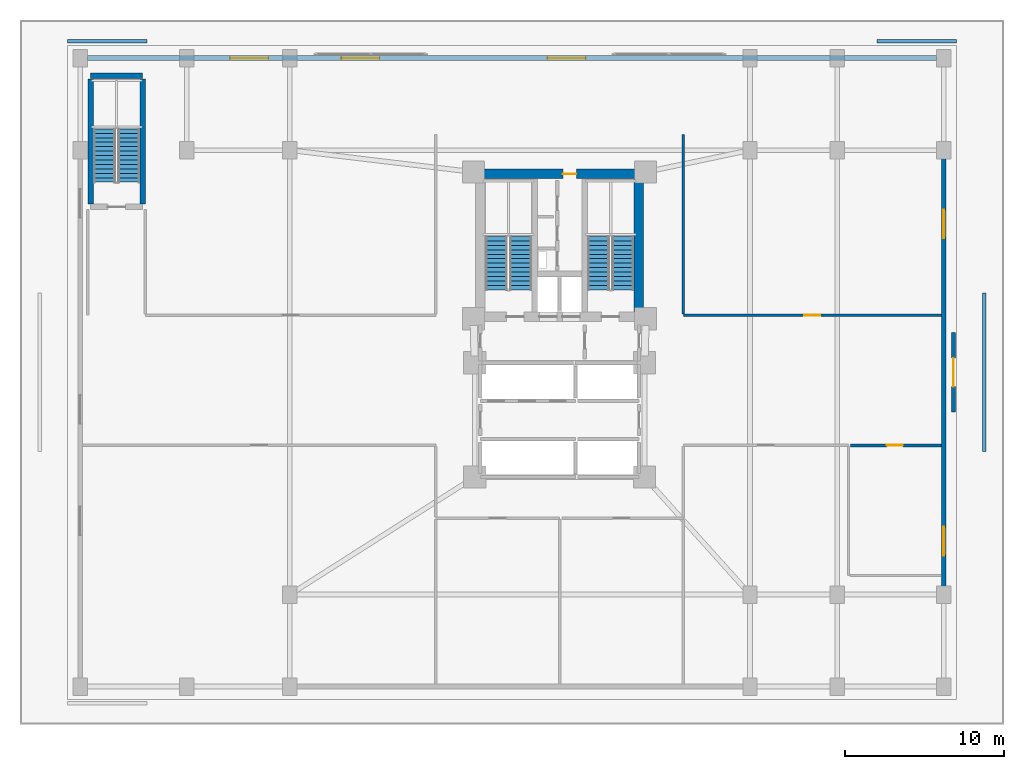
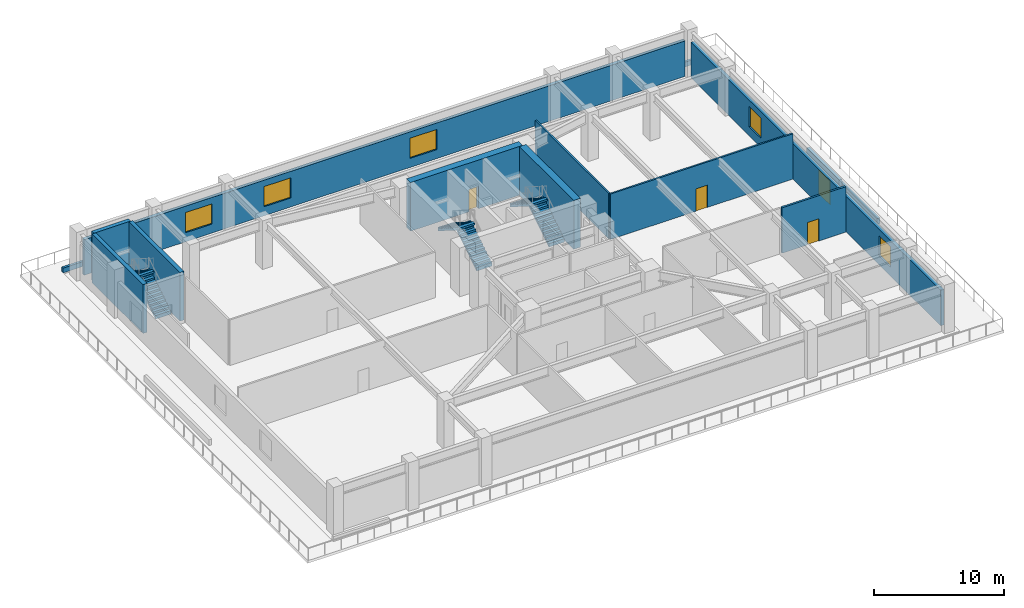
# One storey, part 7 of 9: 14 walls, 6 stair flights, 5 windows, 4 doors, 9 openings, 3 elements without a shape of their own.
"""IFC4 building model written with IfcOpenShell, lengths in metres."""

from ifc_helpers import new_model, si_unit, direction, frame, frame_2d, origin, place, context, subcontext, project, spatial, polyline, rectangle, outline, extrude, material, layer, layer_set, type_object, element, fill, aggregate, save


model = new_model("IFC4")

# Units and contexts
model_context = context("Model", 3, precision=1e-05, world=origin(), true_north=direction((0.0, 1.0)))
body_context = subcontext(model_context, "Body", "Model", "MODEL_VIEW")
ifc_project = project(units=[si_unit("LENGTHUNIT", "METRE"), si_unit("AREAUNIT", "SQUARE_METRE"), si_unit("VOLUMEUNIT", "CUBIC_METRE"), si_unit("PLANEANGLEUNIT", "RADIAN"), si_unit("MASSUNIT", "GRAM", prefix="KILO")], contexts=[model_context])

# Site, building, storey
site_placement = place(None, origin())
site = spatial("IfcSite", under=ifc_project, at=site_placement, CompositionType="ELEMENT")
building_placement = place(site_placement, origin())
building = spatial("IfcBuilding", under=site, at=building_placement, Name="Varnakorn Sky Granary", CompositionType="ELEMENT")
storey_placement = place(building_placement, frame((0.0, 0.0, 18.39990234375)))
storey = spatial("IfcBuildingStorey", under=building, at=storey_placement, Name="L04", CompositionType="ELEMENT", Elevation=18.39990234375)

# Walls
ifc_material_1 = material(Name="Concrete C50/60", Category="concrete")
ifc_layer_1 = layer(ifc_material_1, 0.35009765625, Name="Concrete C50/60")
ifc_layer_set_1 = layer_set([ifc_layer_1], Name="Concrete C50/60")
wall_type_1 = type_object("IfcWallType", Name="WT-CW-INT-350", PredefinedType="SHEAR", material=ifc_layer_set_1)
wall_1_placement = place(storey_placement, frame((-26.550048828125, 18.679931640625, 0.0), z_axis=(0.0, 0.0, 1.0), x_axis=(1.0, 0.0, 0.0)))
element("IfcWall", 1, at=wall_1_placement, inside=storey, type_object=wall_type_1, Name="Podium Stair ST-B3 North Wall L04", PredefinedType="SHEAR", context=body_context, shape_type="SweptSolid", body=[
    extrude(rectangle(XDim=3.280029296875, YDim=0.35009765625, at=frame_2d((1.64013671875, 0.0))), origin(), (0.0, 0.0, 1.0), 4.592041015625),
])
for number, where, z_axis, x_axis, name in (
    (2, (-26.550048828125, 10.610107421875, 0.0), (0.0, 0.0, 1.0), (0.0, 1.0, 0.0), "Podium Stair ST-B3 West Wall L04"),
    (3, (-23.27001953125, 10.610107421875, 0.0), (0.0, 0.0, 1.0), (0.0, 1.0, 0.0), "Podium Stair ST-B3 East Wall L04"),
):
    element("IfcWall", number, at=place(storey_placement, frame(where, z_axis=z_axis, x_axis=x_axis)), inside=storey, type_object=wall_type_1, Name=name, PredefinedType="SHEAR", context=body_context, shape_type="SweptSolid", body=[
        extrude(rectangle(XDim=7.8798828125, YDim=0.35009765625, at=frame_2d((3.93994140625, 0.0))), origin(), (0.0, 0.0, 1.0), 4.592041015625),
    ])

# Wall, opening, door
ifc_material_2 = material(Name="Concrete C60/75", Category="concrete")
ifc_layer_2 = layer(ifc_material_2, 0.60009765625, Name="Concrete C60/75")
ifc_layer_set_2 = layer_set([ifc_layer_2], Name="Concrete C60/75")
wall_type_2 = type_object("IfcWallType", Name="WT-CW-SHEAR-600", PredefinedType="SHEAR", material=ifc_layer_set_2)
wall_2_placement = place(storey_placement, frame((-2.0, 12.5, 0.0), z_axis=(0.0, 0.0, 1.0), x_axis=(1.0, 0.0, 0.0)))
wall_2 = element("IfcWall", 4, at=wall_2_placement, inside=storey, type_object=wall_type_2, Name="Core North Shear Wall L04", PredefinedType="SHEAR", context=body_context, shape_type="SweptSolid", body=[
    extrude(rectangle(XDim=10.0, YDim=0.60009765625, at=frame_2d((5.0, 0.0))), origin(), (0.0, 0.0, 1.0), 4.592041015625),
])
opening_1_placement = place(wall_2_placement, frame((5.199951171875, 0.0, 0.0)))
opening_1 = element("IfcOpeningElement", 5, at=opening_1_placement, cuts=wall_2, Name="Opening FD-60N", PredefinedType="OPENING", context=body_context, shape_type="SweptSolid", body=[
    extrude(rectangle(XDim=0.85009765625, YDim=2.10009765625, at=frame_2d((0.425048828125, 1.050048828125))), frame((0.0, 0.31005859375, 0.0), z_axis=(0.0, -1.0, 0.0), x_axis=(1.0, 0.0, 0.0)), (0.0, 0.0, 1.0), 0.6201171875),
])
ifc_material_3 = material(Name="Acoustic Timber Fire Leaf", Category="wood")
door_type_1 = type_object("IfcDoorType", Name="DR-FD60-850", OperationType="NOTDEFINED", PredefinedType="DOOR", material=ifc_material_3)
door_1_placement = place(opening_1_placement, origin())
door_1 = element("IfcDoor", 6, at=door_1_placement, inside=storey, type_object=door_type_1, Name="Core North Service Door L04", OperationType="SINGLE_SWING_RIGHT", OverallHeight=2.10009765625, OverallWidth=0.85009765625, PredefinedType="DOOR", context=body_context, shape_type="SweptSolid", body=[
    extrude(rectangle(XDim=0.85009765625, YDim=2.10009765625, at=frame_2d((0.425048828125, 1.050048828125))), frame((0.0, 0.02490234375, 0.0), z_axis=(0.0, -1.0, 0.0), x_axis=(1.0, 0.0, 0.0)), (0.0, 0.0, 1.0), 0.050048828125),
])
fill(opening_1, door_1)

# Wall
wall_3_placement = place(storey_placement, frame((8.0, 3.81005859375, 0.0), z_axis=(0.0, 0.0, 1.0), x_axis=(0.0, 1.0, 0.0)))
element("IfcWall", 7, at=wall_3_placement, inside=storey, type_object=wall_type_2, Name="Core East Shear Wall L04", PredefinedType="SHEAR", context=body_context, shape_type="SweptSolid", body=[
    extrude(rectangle(XDim=8.3798828125, YDim=0.60009765625, at=frame_2d((4.18994140625, 0.0))), origin(), (0.0, 0.0, 1.0), 4.592041015625),
])

# Wall, openings, windows
ifc_material_4 = material(Name="Precast concrete C40/50", Category="concrete")
ifc_layer_3 = layer(ifc_material_4, 0.300048828125, Name="Precast concrete C40/50")
ifc_layer_set_3 = layer_set([ifc_layer_3], Name="Precast concrete C40/50")
wall_type_3 = type_object("IfcWallType", Name="WT-EW-POD-300", PredefinedType="SOLIDWALL", material=ifc_layer_set_3)
wall_4_placement = place(storey_placement, frame((-26.7548828125, 19.800048828125, 0.0), z_axis=(0.0, 0.0, 1.0), x_axis=(1.0, 0.0, 0.0)))
wall_4 = element("IfcWall", 8, at=wall_4_placement, inside=storey, type_object=wall_type_3, Name="Podium Exterior Facade Wall L04-N", PredefinedType="SOLIDWALL", context=body_context, shape_type="SweptSolid", body=[
    extrude(rectangle(XDim=53.509765625, YDim=0.300048828125, at=frame_2d((26.7548828125, 0.0))), origin(), (0.0, 0.0, 1.0), 3.35009765625),
])
opening_2_placement = place(wall_4_placement, frame((9.0, 0.0, 0.85009765625)))
opening_2 = element("IfcOpeningElement", 9, at=opening_2_placement, cuts=wall_4, Name="Opening WN-01", PredefinedType="OPENING", context=body_context, shape_type="SweptSolid", body=[
    extrude(rectangle(XDim=2.39990234375, YDim=1.89990234375, at=frame_2d((1.199951171875, 0.949951171875))), frame((0.0, 0.16015625, 0.0), z_axis=(0.0, -1.0, 0.0), x_axis=(1.0, 0.0, 0.0)), (0.0, 0.0, 1.0), 0.320068359375),
])
opening_3_placement = place(wall_4_placement, frame((16.0, 0.0, 0.85009765625)))
opening_3 = element("IfcOpeningElement", 10, at=opening_3_placement, cuts=wall_4, Name="Opening WN-01", PredefinedType="OPENING", context=body_context, shape_type="SweptSolid", body=[
    extrude(rectangle(XDim=2.39990234375, YDim=1.89990234375, at=frame_2d((1.199951171875, 0.949951171875))), frame((0.0, 0.16015625, 0.0), z_axis=(0.0, -1.0, 0.0), x_axis=(1.0, 0.0, 0.0)), (0.0, 0.0, 1.0), 0.320068359375),
])
opening_4_placement = place(wall_4_placement, frame((29.0, 0.0, 0.85009765625)))
opening_4 = element("IfcOpeningElement", 11, at=opening_4_placement, cuts=wall_4, Name="Opening WN-01", PredefinedType="OPENING", context=body_context, shape_type="SweptSolid", body=[
    extrude(rectangle(XDim=2.39990234375, YDim=1.89990234375, at=frame_2d((1.199951171875, 0.949951171875))), frame((0.0, 0.16015625, 0.0), z_axis=(0.0, -1.0, 0.0), x_axis=(1.0, 0.0, 0.0)), (0.0, 0.0, 1.0), 0.320068359375),
])
ifc_material_5 = material(Name="Low-E Tinted Laminated Glass", Category="glass")
window_type_1 = type_object("IfcWindowType", Name="WN-POD-2400", PartitioningType="SINGLE_PANEL", PredefinedType="WINDOW", material=ifc_material_5)
window_1_placement = place(opening_2_placement, origin())
window_1 = element("IfcWindow", 12, at=window_1_placement, inside=storey, type_object=window_type_1, Name="Podium Facade Window L04-N", OverallHeight=1.89990234375, OverallWidth=2.39990234375, PartitioningType="SINGLE_PANEL", PredefinedType="WINDOW", context=body_context, shape_type="SweptSolid", body=[
    extrude(rectangle(XDim=2.39990234375, YDim=1.89990234375, at=frame_2d((1.199951171875, 0.949951171875))), frame((0.0, 0.030029296875, 0.0), z_axis=(0.0, -1.0, 0.0), x_axis=(1.0, 0.0, 0.0)), (0.0, 0.0, 1.0), 0.06005859375),
])
fill(opening_2, window_1)
window_2_placement = place(opening_3_placement, origin())
window_2 = element("IfcWindow", 13, at=window_2_placement, inside=storey, type_object=window_type_1, Name="Podium Facade Window L04-N", OverallHeight=1.89990234375, OverallWidth=2.39990234375, PartitioningType="SINGLE_PANEL", PredefinedType="WINDOW", context=body_context, shape_type="SweptSolid", body=[
    extrude(rectangle(XDim=2.39990234375, YDim=1.89990234375, at=frame_2d((1.199951171875, 0.949951171875))), frame((0.0, 0.030029296875, 0.0), z_axis=(0.0, -1.0, 0.0), x_axis=(1.0, 0.0, 0.0)), (0.0, 0.0, 1.0), 0.06005859375),
])
fill(opening_3, window_2)
window_3_placement = place(opening_4_placement, origin())
window_3 = element("IfcWindow", 14, at=window_3_placement, inside=storey, type_object=window_type_1, Name="Podium Facade Window L04-N", OverallHeight=1.89990234375, OverallWidth=2.39990234375, PartitioningType="SINGLE_PANEL", PredefinedType="WINDOW", context=body_context, shape_type="SweptSolid", body=[
    extrude(rectangle(XDim=2.39990234375, YDim=1.89990234375, at=frame_2d((1.199951171875, 0.949951171875))), frame((0.0, 0.030029296875, 0.0), z_axis=(0.0, -1.0, 0.0), x_axis=(1.0, 0.0, 0.0)), (0.0, 0.0, 1.0), 0.06005859375),
])
fill(opening_4, window_3)

wall_5_placement = place(storey_placement, frame((27.199951171875, 19.2548828125, 0.0), z_axis=(0.0, 0.0, 1.0), x_axis=(0.0, -1.0, 0.0)))
wall_5 = element("IfcWall", 15, at=wall_5_placement, inside=storey, type_object=wall_type_3, Name="Podium Exterior Facade Wall L04-E", PredefinedType="SOLIDWALL", context=body_context, shape_type="SweptSolid", body=[
    extrude(rectangle(XDim=38.509765625, YDim=0.300048828125, at=frame_2d((19.2548828125, 0.0))), origin(), (0.0, 0.0, 1.0), 3.35009765625),
])
opening_5_placement = place(wall_5_placement, frame((9.0, 0.0, 0.85009765625)))
opening_5 = element("IfcOpeningElement", 16, at=opening_5_placement, cuts=wall_5, Name="Opening WN-02", PredefinedType="OPENING", context=body_context, shape_type="SweptSolid", body=[
    extrude(rectangle(XDim=1.800048828125, YDim=1.89990234375, at=frame_2d((0.89990234375, 0.949951171875))), frame((0.0, 0.16015625, 0.0), z_axis=(0.0, -1.0, 0.0), x_axis=(1.0, 0.0, 0.0)), (0.0, 0.0, 1.0), 0.320068359375),
])
opening_6_placement = place(wall_5_placement, frame((29.0, 0.0, 0.85009765625)))
opening_6 = element("IfcOpeningElement", 17, at=opening_6_placement, cuts=wall_5, Name="Opening WN-02", PredefinedType="OPENING", context=body_context, shape_type="SweptSolid", body=[
    extrude(rectangle(XDim=1.800048828125, YDim=1.89990234375, at=frame_2d((0.89990234375, 0.949951171875))), frame((0.0, 0.16015625, 0.0), z_axis=(0.0, -1.0, 0.0), x_axis=(1.0, 0.0, 0.0)), (0.0, 0.0, 1.0), 0.320068359375),
])
window_type_2 = type_object("IfcWindowType", Name="WN-POD-1800", PartitioningType="SINGLE_PANEL", PredefinedType="WINDOW", material=ifc_material_5)
window_4_placement = place(opening_5_placement, origin())
window_4 = element("IfcWindow", 18, at=window_4_placement, inside=storey, type_object=window_type_2, Name="Podium Facade Window L04-E", OverallHeight=1.89990234375, OverallWidth=1.800048828125, PartitioningType="SINGLE_PANEL", PredefinedType="WINDOW", context=body_context, shape_type="SweptSolid", body=[
    extrude(rectangle(XDim=1.800048828125, YDim=1.89990234375, at=frame_2d((0.89990234375, 0.949951171875))), frame((0.0, 0.030029296875, 0.0), z_axis=(0.0, -1.0, 0.0), x_axis=(1.0, 0.0, 0.0)), (0.0, 0.0, 1.0), 0.06005859375),
])
fill(opening_5, window_4)
window_5_placement = place(opening_6_placement, origin())
window_5 = element("IfcWindow", 19, at=window_5_placement, inside=storey, type_object=window_type_2, Name="Podium Facade Window L04-E", OverallHeight=1.89990234375, OverallWidth=1.800048828125, PartitioningType="SINGLE_PANEL", PredefinedType="WINDOW", context=body_context, shape_type="SweptSolid", body=[
    extrude(rectangle(XDim=1.800048828125, YDim=1.89990234375, at=frame_2d((0.89990234375, 0.949951171875))), frame((0.0, 0.030029296875, 0.0), z_axis=(0.0, -1.0, 0.0), x_axis=(1.0, 0.0, 0.0)), (0.0, 0.0, 1.0), 0.06005859375),
])
fill(opening_6, window_5)

# Wall, opening, door
ifc_layer_4 = layer(ifc_material_4, 0.260009765625, Name="Precast concrete C40/50")
ifc_layer_set_4 = layer_set([ifc_layer_4], Name="Precast concrete C40/50")
wall_type_4 = type_object("IfcWallType", Name="WT-EW-TER-260", PredefinedType="SOLIDWALL", material=ifc_layer_set_4)
wall_6_placement = place(storey_placement, frame((27.820068359375, 2.5, 0.0), z_axis=(0.0, 0.0, 1.0), x_axis=(0.0, -1.0, 0.0)))
wall_6 = element("IfcWall", 20, at=wall_6_placement, inside=storey, type_object=wall_type_4, Name="Terrace Access Threshold Wall L04", PredefinedType="SOLIDWALL", context=body_context, shape_type="SweptSolid", body=[
    extrude(rectangle(XDim=5.0, YDim=0.260009765625, at=frame_2d((2.5, 0.0))), origin(), (0.0, 0.0, 1.0), 3.35009765625),
])
opening_7_placement = place(wall_6_placement, frame((1.60009765625, 0.0, 0.0)))
opening_7 = element("IfcOpeningElement", 21, at=opening_7_placement, cuts=wall_6, Name="Opening TD-01", PredefinedType="OPENING", context=body_context, shape_type="SweptSolid", body=[
    extrude(rectangle(XDim=1.800048828125, YDim=2.25, at=frame_2d((0.89990234375, 1.125))), frame((0.0, 0.14013671875, 0.0), z_axis=(0.0, -1.0, 0.0), x_axis=(1.0, 0.0, 0.0)), (0.0, 0.0, 1.0), 0.280029296875),
])
ifc_material_6 = material(Name="Anodised Bronze Aluminium Alloy 6063-T6", Category="aluminium")
door_type_2 = type_object("IfcDoorType", Name="DR-TERR-1800", OperationType="NOTDEFINED", PredefinedType="DOOR", material=ifc_material_6)
door_2_placement = place(opening_7_placement, origin())
door_2 = element("IfcDoor", 22, at=door_2_placement, inside=storey, type_object=door_type_2, Name="Cascading Terrace Garden Door L04", OperationType="DOUBLE_DOOR_SINGLE_SWING", OverallHeight=2.25, OverallWidth=1.800048828125, PredefinedType="DOOR", context=body_context, shape_type="SweptSolid", body=[
    extrude(rectangle(XDim=1.800048828125, YDim=2.25, at=frame_2d((0.89990234375, 1.125))), frame((0.0, 0.02490234375, 0.0), z_axis=(0.0, -1.0, 0.0), x_axis=(1.0, 0.0, 0.0)), (0.0, 0.0, 1.0), 0.050048828125),
])
fill(opening_7, door_2)

ifc_material_7 = material(Name="Gypsum Plasterboard on Steel Stud", Category="steel")
ifc_layer_5 = layer(ifc_material_7, 0.14990234375, Name="Gypsum Plasterboard on Steel Stud")
ifc_layer_set_5 = layer_set([ifc_layer_5], Name="Gypsum Plasterboard on Steel Stud")
wall_type_5 = type_object("IfcWallType", Name="WT-PART-150", PredefinedType="PARTITIONING", material=ifc_layer_set_5)
wall_7_placement = place(storey_placement, frame((27.050048828125, 3.60009765625, 0.0), z_axis=(0.0, 0.0, 1.0), x_axis=(-1.0, 0.0, 0.0)))
wall_7 = element("IfcWall", 23, at=wall_7_placement, inside=storey, type_object=wall_type_5, Name="Interior Partition Wall L04-023", PredefinedType="PARTITIONING", context=body_context, shape_type="SweptSolid", body=[
    extrude(rectangle(XDim=16.25, YDim=0.14990234375, at=frame_2d((8.125, 0.0))), origin(), (0.0, 0.0, 1.0), 4.280029296875),
])
opening_8_placement = place(wall_7_placement, frame((7.625, 0.0, 0.0)))
opening_8 = element("IfcOpeningElement", 24, at=opening_8_placement, cuts=wall_7, Name="Opening ID-100", PredefinedType="OPENING", context=body_context, shape_type="SweptSolid", body=[
    extrude(rectangle(XDim=1.0, YDim=2.10009765625, at=frame_2d((0.5, 1.050048828125))), frame((0.0, 0.0849609375, 0.0), z_axis=(0.0, -1.0, 0.0), x_axis=(1.0, 0.0, 0.0)), (0.0, 0.0, 1.0), 0.169921875),
])
ifc_material_8 = material(Name="Solid-Core Teak Veneer Leaf", Category="timber")
door_type_3 = type_object("IfcDoorType", Name="DR-INT-1000", OperationType="NOTDEFINED", PredefinedType="DOOR", material=ifc_material_8)
door_3_placement = place(opening_8_placement, origin())
door_3 = element("IfcDoor", 25, at=door_3_placement, inside=storey, type_object=door_type_3, Name="Interior Door L04-023-1", OperationType="SINGLE_SWING_LEFT", OverallHeight=2.10009765625, OverallWidth=1.0, PredefinedType="DOOR", context=body_context, shape_type="SweptSolid", body=[
    extrude(rectangle(XDim=1.0, YDim=2.10009765625, at=frame_2d((0.5, 1.050048828125))), frame((0.0, 0.02490234375, 0.0), z_axis=(0.0, -1.0, 0.0), x_axis=(1.0, 0.0, 0.0)), (0.0, 0.0, 1.0), 0.050048828125),
])
fill(opening_8, door_3)

# Wall
wall_8_placement = place(storey_placement, frame((10.800048828125, 3.68505859375, 0.0), z_axis=(0.0, 0.0, 1.0), x_axis=(0.0, 1.0, 0.0)))
element("IfcWall", 26, at=wall_8_placement, inside=storey, type_object=wall_type_5, Name="Interior Partition Wall L04-034", PredefinedType="PARTITIONING", context=body_context, shape_type="SweptSolid", body=[
    extrude(rectangle(XDim=11.31494140625, YDim=0.14990234375, at=frame_2d((5.657470703125, 0.0))), origin(), (0.0, 0.0, 1.0), 4.280029296875),
])

# Wall, opening, door
ifc_material_9 = material(Name="Moisture-Resistant Gypsum on Stud", Category="gypsum")
ifc_layer_6 = layer(ifc_material_9, 0.179931640625, Name="Moisture-Resistant Gypsum on Stud")
ifc_layer_set_6 = layer_set([ifc_layer_6], Name="Moisture-Resistant Gypsum on Stud")
wall_type_6 = type_object("IfcWallType", Name="WT-PLUMB-180", PredefinedType="PLUMBINGWALL", material=ifc_layer_set_6)
wall_9_placement = place(storey_placement, frame((21.3349609375, -4.60009765625, 0.0), z_axis=(0.0, 0.0, 1.0), x_axis=(1.0, 0.0, 0.0)))
wall_9 = element("IfcWall", 27, at=wall_9_placement, inside=storey, type_object=wall_type_6, Name="Interior Partition Wall L04-026", PredefinedType="PLUMBINGWALL", context=body_context, shape_type="SweptSolid", body=[
    extrude(rectangle(XDim=5.715087890625, YDim=0.179931640625, at=frame_2d((2.857421875, 0.0))), origin(), (0.0, 0.0, 1.0), 4.280029296875),
])
opening_9_placement = place(wall_9_placement, frame((2.2900390625, 0.0, 0.0)))
opening_9 = element("IfcOpeningElement", 28, at=opening_9_placement, cuts=wall_9, Name="Opening ID-100", PredefinedType="OPENING", context=body_context, shape_type="SweptSolid", body=[
    extrude(rectangle(XDim=1.0, YDim=2.10009765625, at=frame_2d((0.5, 1.050048828125))), frame((0.0, 0.10009765625, 0.0), z_axis=(0.0, -1.0, 0.0), x_axis=(1.0, 0.0, 0.0)), (0.0, 0.0, 1.0), 0.199951171875),
])
door_4_placement = place(opening_9_placement, origin())
door_4 = element("IfcDoor", 29, at=door_4_placement, inside=storey, type_object=door_type_3, Name="Interior Door L04-026-1", OperationType="SINGLE_SWING_RIGHT", OverallHeight=2.10009765625, OverallWidth=1.0, PredefinedType="DOOR", context=body_context, shape_type="SweptSolid", body=[
    extrude(rectangle(XDim=1.0, YDim=2.10009765625, at=frame_2d((0.5, 1.050048828125))), frame((0.0, 0.02490234375, 0.0), z_axis=(0.0, -1.0, 0.0), x_axis=(1.0, 0.0, 0.0)), (0.0, 0.0, 1.0), 0.050048828125),
])
fill(opening_9, door_4)

# Walls
ifc_layer_7 = layer(ifc_material_4, 0.219970703125, Name="Precast concrete C40/50")
ifc_layer_set_7 = layer_set([ifc_layer_7], Name="Precast concrete C40/50")
wall_type_7 = type_object("IfcWallType", Name="WT-WP-PAR-220", PredefinedType="PARAPET", material=ifc_layer_set_7)
for number, where, z_axis, x_axis, name in (
    (30, (-28.0, 20.85009765625, 0.0), (0.0, 0.0, 1.0), (1.0, 0.0, 0.0), "Terrace Upstand Curb Parapet L04-1"),
    (31, (23.0, 20.85009765625, 0.0), (0.0, 0.0, 1.0), (1.0, 0.0, 0.0), "Terrace Upstand Curb Parapet L04-2"),
):
    element("IfcWall", number, at=place(storey_placement, frame(where, z_axis=z_axis, x_axis=x_axis)), inside=storey, type_object=wall_type_7, Name=name, PredefinedType="PARAPET", context=body_context, shape_type="SweptSolid", body=[
        extrude(rectangle(XDim=5.0, YDim=0.219970703125, at=frame_2d((2.5, 0.0))), origin(), (0.0, 0.0, 1.0), 0.4501953125),
    ])
ifc_layer_8 = layer(ifc_material_4, 0.239990234375, Name="Precast concrete C40/50")
ifc_layer_set_8 = layer_set([ifc_layer_8], Name="Precast concrete C40/50")
wall_type_8 = type_object("IfcWallType", Name="WT-WP-PLN-240", PredefinedType="PARAPET", material=ifc_layer_set_8)
wall_10_placement = place(storey_placement, frame((29.75, -5.0, 0.0), z_axis=(0.0, 0.0, 1.0), x_axis=(0.0, 1.0, 0.0)))
element("IfcWall", 32, at=wall_10_placement, inside=storey, type_object=wall_type_8, Name="Cascading Terrace Cultivar Planter Bed PLANTER L04-2", PredefinedType="PARAPET", context=body_context, shape_type="SweptSolid", body=[
    extrude(rectangle(XDim=10.0, YDim=0.239990234375, at=frame_2d((5.0, 0.0))), origin(), (0.0, 0.0, 1.0), 0.550048828125),
])

# Stair, stair flights
ifc_material_10 = material(Name="Concrete C40/50", Category="concrete")
stair_type = type_object("IfcStairType", Name="ST-MAIN-ASSEMBLY", PredefinedType="HALF_TURN_STAIR", material=ifc_material_10)
stair_1_placement = place(storey_placement, origin())
stair_1 = element("IfcStair", 33, at=stair_1_placement, inside=storey, type_object=stair_type, Name="L04 Protected Exit Stair ST-1", PredefinedType="HALF_TURN_STAIR")
stair_flight_type = type_object("IfcStairFlightType", Name="ST-MAIN-FLIGHT", PredefinedType="STRAIGHT", material=ifc_material_10)
stair_flight_1_placement = place(storey_placement, frame((0.550048828125, 5.199951171875, 0.0), z_axis=(0.0, 0.0, 1.0), x_axis=(0.0, 1.0, 0.0)))
stair_flight_1 = element("IfcStairFlight", 34, at=stair_flight_1_placement, type_object=stair_flight_type, Name="ST-1 flight 1", NumberOfRisers=13, NumberOfTreads=12, PredefinedType="STRAIGHT", RiserHeight=0.176923077, TreadLength=0.28, context=body_context, shape_type="SweptSolid", body=[
    extrude(outline(polyline([(0.0, -0.14990234375), (0.0, 0.0), (0.0, 0.177001953125), (0.280029296875, 0.177001953125), (0.280029296875, 0.353759765625), (0.56005859375, 0.353759765625), (0.56005859375, 0.53076171875), (0.840087890625, 0.53076171875), (0.840087890625, 0.707763671875), (1.1201171875, 0.707763671875), (1.1201171875, 0.884521484375), (1.39990234375, 0.884521484375), (1.39990234375, 1.0615234375), (1.679931640625, 1.0615234375), (1.679931640625, 1.238525390625), (1.9599609375, 1.238525390625), (1.9599609375, 1.415283203125), (2.239990234375, 1.415283203125), (2.239990234375, 1.59228515625), (2.52001953125, 1.59228515625), (2.52001953125, 1.769287109375), (2.800048828125, 1.769287109375), (2.800048828125, 1.946044921875), (3.080078125, 1.946044921875), (3.080078125, 2.123046875), (3.360107421875, 2.123046875), (3.360107421875, 2.300048828125), (3.360107421875, 1.94580078125), (0.050048828125, -0.14990234375), (0.0, -0.14990234375)])), frame((0.0, 0.68994140625, 0.0), z_axis=(0.0, -1.0, 0.0), x_axis=(1.0, 0.0, 0.0)), (0.0, 0.0, 1.0), 1.3798828125),
])
stair_flight_2_placement = place(storey_placement, frame((-0.97998046875, 8.56005859375, 2.300048828125), z_axis=(0.0, 0.0, 1.0), x_axis=(0.0, -1.0, 0.0)))
stair_flight_2 = element("IfcStairFlight", 35, at=stair_flight_2_placement, type_object=stair_flight_type, Name="ST-1 flight 2", NumberOfRisers=13, NumberOfTreads=12, PredefinedType="STRAIGHT", RiserHeight=0.176923077, TreadLength=0.28, context=body_context, shape_type="SweptSolid", body=[
    extrude(outline(polyline([(0.0, -0.14990234375), (0.0, 0.0), (0.0, 0.177001953125), (0.280029296875, 0.177001953125), (0.280029296875, 0.353759765625), (0.56005859375, 0.353759765625), (0.56005859375, 0.53076171875), (0.840087890625, 0.53076171875), (0.840087890625, 0.707763671875), (1.1201171875, 0.707763671875), (1.1201171875, 0.884521484375), (1.39990234375, 0.884521484375), (1.39990234375, 1.0615234375), (1.679931640625, 1.0615234375), (1.679931640625, 1.238525390625), (1.9599609375, 1.238525390625), (1.9599609375, 1.415283203125), (2.239990234375, 1.415283203125), (2.239990234375, 1.59228515625), (2.52001953125, 1.59228515625), (2.52001953125, 1.769287109375), (2.800048828125, 1.769287109375), (2.800048828125, 1.946044921875), (3.080078125, 1.946044921875), (3.080078125, 2.123046875), (3.360107421875, 2.123046875), (3.360107421875, 2.300048828125), (3.360107421875, 1.94580078125), (0.050048828125, -0.14990234375), (0.0, -0.14990234375)])), frame((0.0, 0.68994140625, 0.0), z_axis=(0.0, -1.0, 0.0), x_axis=(1.0, 0.0, 0.0)), (0.0, 0.0, 1.0), 1.3798828125),
])
aggregate(stair_1, [stair_flight_1, stair_flight_2])

stair_2_placement = place(storey_placement, origin())
stair_2 = element("IfcStair", 36, at=stair_2_placement, inside=storey, type_object=stair_type, Name="L04 Protected Exit Stair ST-2", PredefinedType="HALF_TURN_STAIR")
stair_flight_3_placement = place(storey_placement, frame((6.989990234375, 5.199951171875, 0.0), z_axis=(0.0, 0.0, 1.0), x_axis=(0.0, 1.0, 0.0)))
stair_flight_3 = element("IfcStairFlight", 37, at=stair_flight_3_placement, type_object=stair_flight_type, Name="ST-2 flight 1", NumberOfRisers=13, NumberOfTreads=12, PredefinedType="STRAIGHT", RiserHeight=0.176923077, TreadLength=0.28, context=body_context, shape_type="SweptSolid", body=[
    extrude(outline(polyline([(0.0, -0.14990234375), (0.0, 0.0), (0.0, 0.177001953125), (0.280029296875, 0.177001953125), (0.280029296875, 0.353759765625), (0.56005859375, 0.353759765625), (0.56005859375, 0.53076171875), (0.840087890625, 0.53076171875), (0.840087890625, 0.707763671875), (1.1201171875, 0.707763671875), (1.1201171875, 0.884521484375), (1.39990234375, 0.884521484375), (1.39990234375, 1.0615234375), (1.679931640625, 1.0615234375), (1.679931640625, 1.238525390625), (1.9599609375, 1.238525390625), (1.9599609375, 1.415283203125), (2.239990234375, 1.415283203125), (2.239990234375, 1.59228515625), (2.52001953125, 1.59228515625), (2.52001953125, 1.769287109375), (2.800048828125, 1.769287109375), (2.800048828125, 1.946044921875), (3.080078125, 1.946044921875), (3.080078125, 2.123046875), (3.360107421875, 2.123046875), (3.360107421875, 2.300048828125), (3.360107421875, 1.94580078125), (0.050048828125, -0.14990234375), (0.0, -0.14990234375)])), frame((0.0, 0.68994140625, 0.0), z_axis=(0.0, -1.0, 0.0), x_axis=(1.0, 0.0, 0.0)), (0.0, 0.0, 1.0), 1.3798828125),
])
stair_flight_4_placement = place(storey_placement, frame((5.4599609375, 8.56005859375, 2.300048828125), z_axis=(0.0, 0.0, 1.0), x_axis=(0.0, -1.0, 0.0)))
stair_flight_4 = element("IfcStairFlight", 38, at=stair_flight_4_placement, type_object=stair_flight_type, Name="ST-2 flight 2", NumberOfRisers=13, NumberOfTreads=12, PredefinedType="STRAIGHT", RiserHeight=0.176923077, TreadLength=0.28, context=body_context, shape_type="SweptSolid", body=[
    extrude(outline(polyline([(0.0, -0.14990234375), (0.0, 0.0), (0.0, 0.177001953125), (0.280029296875, 0.177001953125), (0.280029296875, 0.353759765625), (0.56005859375, 0.353759765625), (0.56005859375, 0.53076171875), (0.840087890625, 0.53076171875), (0.840087890625, 0.707763671875), (1.1201171875, 0.707763671875), (1.1201171875, 0.884521484375), (1.39990234375, 0.884521484375), (1.39990234375, 1.0615234375), (1.679931640625, 1.0615234375), (1.679931640625, 1.238525390625), (1.9599609375, 1.238525390625), (1.9599609375, 1.415283203125), (2.239990234375, 1.415283203125), (2.239990234375, 1.59228515625), (2.52001953125, 1.59228515625), (2.52001953125, 1.769287109375), (2.800048828125, 1.769287109375), (2.800048828125, 1.946044921875), (3.080078125, 1.946044921875), (3.080078125, 2.123046875), (3.360107421875, 2.123046875), (3.360107421875, 2.300048828125), (3.360107421875, 1.94580078125), (0.050048828125, -0.14990234375), (0.0, -0.14990234375)])), frame((0.0, 0.68994140625, 0.0), z_axis=(0.0, -1.0, 0.0), x_axis=(1.0, 0.0, 0.0)), (0.0, 0.0, 1.0), 1.3798828125),
])
aggregate(stair_2, [stair_flight_3, stair_flight_4])

stair_3_placement = place(storey_placement, origin())
stair_3 = element("IfcStair", 39, at=stair_3_placement, inside=storey, type_object=stair_type, Name="L04 Podium and Basement Protected Exit Stair ST-B3", PredefinedType="HALF_TURN_STAIR")
stair_flight_5_placement = place(storey_placement, frame((-24.139892578125, 11.97998046875, 0.0), z_axis=(0.0, 0.0, 1.0), x_axis=(0.0, 1.0, 0.0)))
stair_flight_5 = element("IfcStairFlight", 40, at=stair_flight_5_placement, type_object=stair_flight_type, Name="ST-B3 flight 1", NumberOfRisers=13, NumberOfTreads=12, PredefinedType="STRAIGHT", RiserHeight=0.176923077, TreadLength=0.28, context=body_context, shape_type="SweptSolid", body=[
    extrude(outline(polyline([(0.0, -0.14990234375), (0.0, 0.0), (0.0, 0.177001953125), (0.280029296875, 0.177001953125), (0.280029296875, 0.353759765625), (0.56005859375, 0.353759765625), (0.56005859375, 0.53076171875), (0.840087890625, 0.53076171875), (0.840087890625, 0.707763671875), (1.1201171875, 0.707763671875), (1.1201171875, 0.884521484375), (1.39990234375, 0.884521484375), (1.39990234375, 1.0615234375), (1.679931640625, 1.0615234375), (1.679931640625, 1.238525390625), (1.9599609375, 1.238525390625), (1.9599609375, 1.415283203125), (2.239990234375, 1.415283203125), (2.239990234375, 1.59228515625), (2.52001953125, 1.59228515625), (2.52001953125, 1.769287109375), (2.800048828125, 1.769287109375), (2.800048828125, 1.946044921875), (3.080078125, 1.946044921875), (3.080078125, 2.123046875), (3.360107421875, 2.123046875), (3.360107421875, 2.300048828125), (3.360107421875, 1.94580078125), (0.050048828125, -0.14990234375), (0.0, -0.14990234375)])), frame((0.0, 0.68994140625, 0.0), z_axis=(0.0, -1.0, 0.0), x_axis=(1.0, 0.0, 0.0)), (0.0, 0.0, 1.0), 1.3798828125),
])
stair_flight_6_placement = place(storey_placement, frame((-25.669921875, 15.340087890625, 2.300048828125), z_axis=(0.0, 0.0, 1.0), x_axis=(0.0, -1.0, 0.0)))
stair_flight_6 = element("IfcStairFlight", 41, at=stair_flight_6_placement, type_object=stair_flight_type, Name="ST-B3 flight 2", NumberOfRisers=13, NumberOfTreads=12, PredefinedType="STRAIGHT", RiserHeight=0.176923077, TreadLength=0.28, context=body_context, shape_type="SweptSolid", body=[
    extrude(outline(polyline([(0.0, -0.14990234375), (0.0, 0.0), (0.0, 0.177001953125), (0.280029296875, 0.177001953125), (0.280029296875, 0.353759765625), (0.56005859375, 0.353759765625), (0.56005859375, 0.53076171875), (0.840087890625, 0.53076171875), (0.840087890625, 0.707763671875), (1.1201171875, 0.707763671875), (1.1201171875, 0.884521484375), (1.39990234375, 0.884521484375), (1.39990234375, 1.0615234375), (1.679931640625, 1.0615234375), (1.679931640625, 1.238525390625), (1.9599609375, 1.238525390625), (1.9599609375, 1.415283203125), (2.239990234375, 1.415283203125), (2.239990234375, 1.59228515625), (2.52001953125, 1.59228515625), (2.52001953125, 1.769287109375), (2.800048828125, 1.769287109375), (2.800048828125, 1.946044921875), (3.080078125, 1.946044921875), (3.080078125, 2.123046875), (3.360107421875, 2.123046875), (3.360107421875, 2.300048828125), (3.360107421875, 1.94580078125), (0.050048828125, -0.14990234375), (0.0, -0.14990234375)])), frame((0.0, 0.68994140625, 0.0), z_axis=(0.0, -1.0, 0.0), x_axis=(1.0, 0.0, 0.0)), (0.0, 0.0, 1.0), 1.3798828125),
])
aggregate(stair_3, [stair_flight_5, stair_flight_6])

save(model, "model.ifc")
